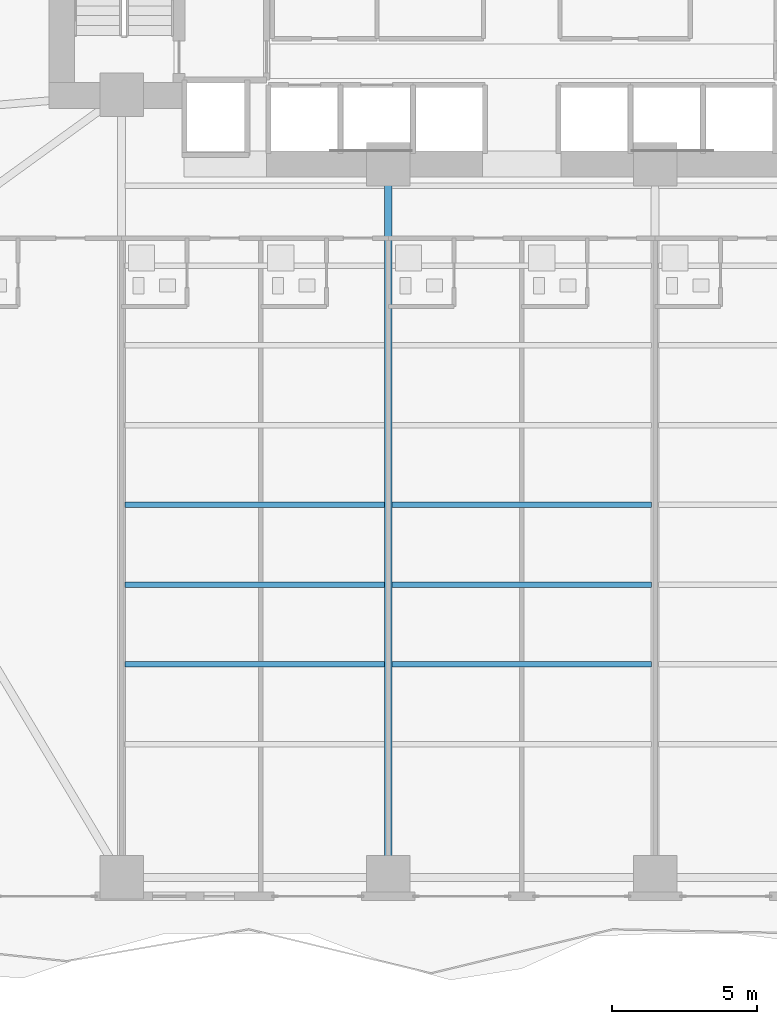
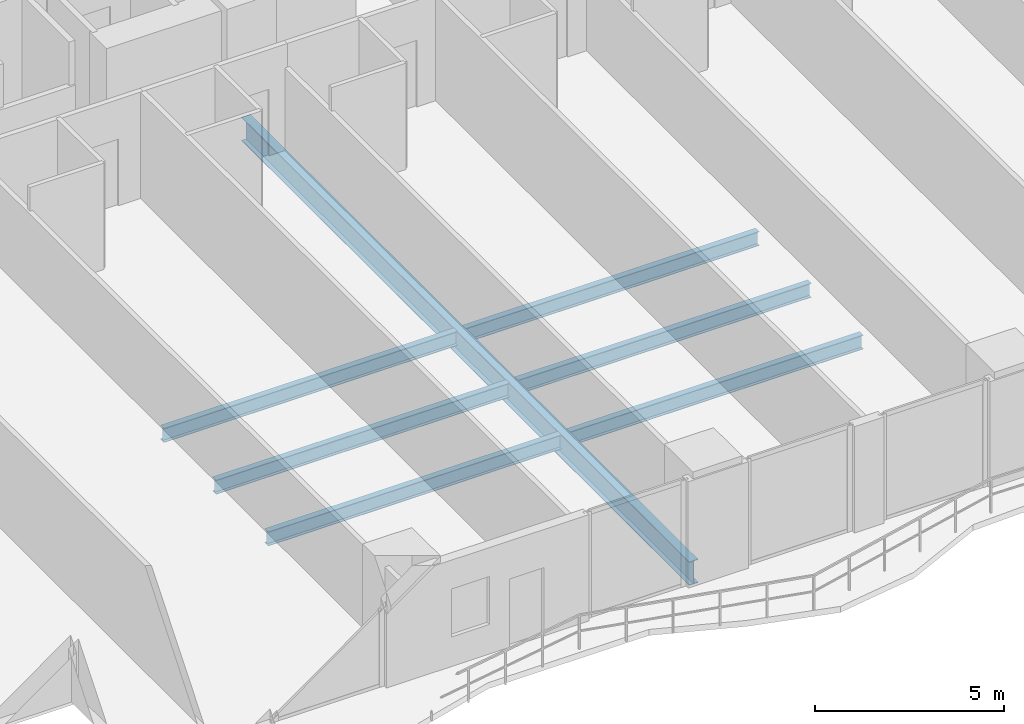
# One storey, part 5 of 29: 7 beams.
"""IFC4 building model written with IfcOpenShell, lengths in metres."""

from ifc_helpers import new_model, si_unit, direction, frame, origin, origin_2d, place, context, subcontext, project, spatial, i_section, extrude, material, material_profile, profile_set, type_object, element, save


model = new_model("IFC4")

# Units and contexts
model_context = context("Model", 3, precision=1e-05, world=origin(), true_north=direction((0.0, 1.0)))
body_context = subcontext(model_context, "Body", "Model", "MODEL_VIEW")
ifc_project = project(units=[si_unit("LENGTHUNIT", "METRE"), si_unit("AREAUNIT", "SQUARE_METRE"), si_unit("VOLUMEUNIT", "CUBIC_METRE"), si_unit("PLANEANGLEUNIT", "RADIAN"), si_unit("MASSUNIT", "GRAM", prefix="KILO")], contexts=[model_context])

# Site, building, storey
site_placement = place(None, origin())
site = spatial("IfcSite", under=ifc_project, at=site_placement, CompositionType="ELEMENT")
building_placement = place(site_placement, origin())
building = spatial("IfcBuilding", under=site, at=building_placement, Name="Zuhayl Quay Hotel", CompositionType="ELEMENT")
storey_placement = place(building_placement, frame((0.0, 0.0, 64.10009765625)))
storey = spatial("IfcBuildingStorey", under=building, at=storey_placement, Name="L15", CompositionType="ELEMENT", Elevation=64.10009765625)

# Beams
ifc_material = material(Name="Steel ASTM A992 Grade 50", Category="steel")
ifc_material_profile_1 = material_profile(ifc_material, i_section(OverallWidth=0.26708984375, OverallDepth=0.761962890625, WebThickness=0.014404296875, FlangeThickness=0.021484375, at=origin_2d()), Name="W30X116")
ifc_profile_set_1 = profile_set([ifc_material_profile_1], Name="Steel ASTM A992 Grade 50")
beam_type_1 = type_object("IfcBeamType", Name="BM_B1_W30X116", PredefinedType="BEAM", material=ifc_profile_set_1)
beam_1_placement = place(storey_placement, frame((-4.60009765625, -21.949951171875, -0.60107421875), z_axis=(0.0, 1.0, 0.0), x_axis=(-1.0, 0.0, 0.0)))
element("IfcBeam", 1, at=beam_1_placement, inside=storey, type_object=beam_type_1, Name="L15 Floor Beam FG_S_L15_2", PredefinedType="BEAM", context=body_context, shape_type="SweptSolid", body=[
    extrude(i_section(OverallWidth=0.26708984375, OverallDepth=0.761962890625, WebThickness=0.014404296875, FlangeThickness=0.021484375, at=origin_2d()), origin(), (0.0, 0.0, 1.0), 23.64990234375),
])
ifc_material_profile_2 = material_profile(ifc_material, i_section(OverallWidth=0.18994140625, OverallDepth=0.45703125, WebThickness=0.009033203125, FlangeThickness=0.014404296875, at=origin_2d()), Name="W18X50")
ifc_profile_set_2 = profile_set([ifc_material_profile_2], Name="Steel ASTM A992 Grade 50")
beam_type_2 = type_object("IfcBeamType", Name="BM_J2_W18X50", PredefinedType="JOIST", material=ifc_profile_set_2)
beam_2_placement = place(storey_placement, frame((-13.674560546875, -15.10009765625, -0.448486328125), z_axis=(1.0, 0.0, 0.0), x_axis=(0.0, 1.0, 0.0)))
element("IfcBeam", 2, at=beam_2_placement, inside=storey, type_object=beam_type_2, Name="L15 Floor Beam FJ_L15_4_1", PredefinedType="JOIST", context=body_context, shape_type="SweptSolid", body=[
    extrude(i_section(OverallWidth=0.18994140625, OverallDepth=0.45703125, WebThickness=0.009033203125, FlangeThickness=0.014404296875, at=origin_2d()), origin(), (0.0, 0.0, 1.0), 8.948974609375),
])
beam_3_placement = place(storey_placement, frame((-4.474609375, -15.10009765625, -0.448486328125), z_axis=(1.0, 0.0, 0.0), x_axis=(0.0, 1.0, 0.0)))
element("IfcBeam", 3, at=beam_3_placement, inside=storey, type_object=beam_type_2, Name="L15 Floor Beam FJ_L15_4_2", PredefinedType="JOIST", context=body_context, shape_type="SweptSolid", body=[
    extrude(i_section(OverallWidth=0.18994140625, OverallDepth=0.45703125, WebThickness=0.009033203125, FlangeThickness=0.014404296875, at=origin_2d()), origin(), (0.0, 0.0, 1.0), 8.94921875),
])
beam_4_placement = place(storey_placement, frame((-13.674560546875, -12.35009765625, -0.448486328125), z_axis=(1.0, 0.0, 0.0), x_axis=(0.0, 1.0, 0.0)))
element("IfcBeam", 4, at=beam_4_placement, inside=storey, type_object=beam_type_2, Name="L15 Floor Beam FJ_L15_5_1", PredefinedType="JOIST", context=body_context, shape_type="SweptSolid", body=[
    extrude(i_section(OverallWidth=0.18994140625, OverallDepth=0.45703125, WebThickness=0.009033203125, FlangeThickness=0.014404296875, at=origin_2d()), origin(), (0.0, 0.0, 1.0), 8.948974609375),
])
beam_5_placement = place(storey_placement, frame((-4.474609375, -12.35009765625, -0.448486328125), z_axis=(1.0, 0.0, 0.0), x_axis=(0.0, 1.0, 0.0)))
element("IfcBeam", 5, at=beam_5_placement, inside=storey, type_object=beam_type_2, Name="L15 Floor Beam FJ_L15_5_2", PredefinedType="JOIST", context=body_context, shape_type="SweptSolid", body=[
    extrude(i_section(OverallWidth=0.18994140625, OverallDepth=0.45703125, WebThickness=0.009033203125, FlangeThickness=0.014404296875, at=origin_2d()), origin(), (0.0, 0.0, 1.0), 8.94921875),
])
beam_6_placement = place(storey_placement, frame((-13.674560546875, -9.60009765625, -0.448486328125), z_axis=(1.0, 0.0, 0.0), x_axis=(0.0, 1.0, 0.0)))
element("IfcBeam", 6, at=beam_6_placement, inside=storey, type_object=beam_type_2, Name="L15 Floor Beam FJ_L15_6_1", PredefinedType="JOIST", context=body_context, shape_type="SweptSolid", body=[
    extrude(i_section(OverallWidth=0.18994140625, OverallDepth=0.45703125, WebThickness=0.009033203125, FlangeThickness=0.014404296875, at=origin_2d()), origin(), (0.0, 0.0, 1.0), 8.948974609375),
])
beam_7_placement = place(storey_placement, frame((-4.474609375, -9.60009765625, -0.448486328125), z_axis=(1.0, 0.0, 0.0), x_axis=(0.0, 1.0, 0.0)))
element("IfcBeam", 7, at=beam_7_placement, inside=storey, type_object=beam_type_2, Name="L15 Floor Beam FJ_L15_6_2", PredefinedType="JOIST", context=body_context, shape_type="SweptSolid", body=[
    extrude(i_section(OverallWidth=0.18994140625, OverallDepth=0.45703125, WebThickness=0.009033203125, FlangeThickness=0.014404296875, at=origin_2d()), origin(), (0.0, 0.0, 1.0), 8.94921875),
])

save(model, "model.ifc")
